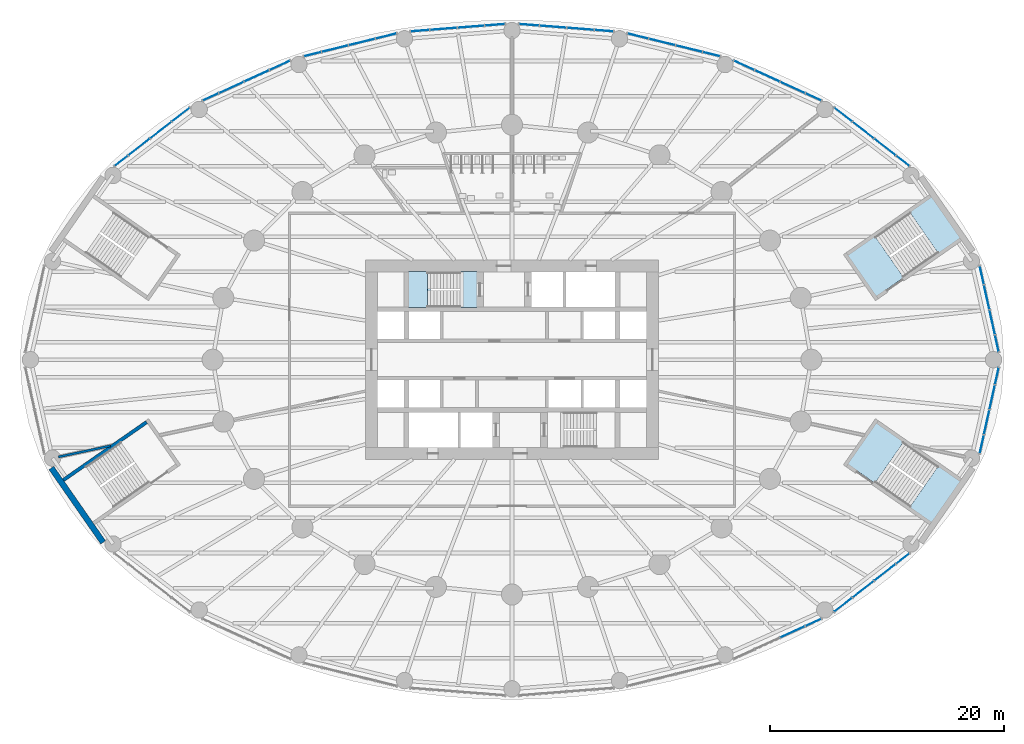
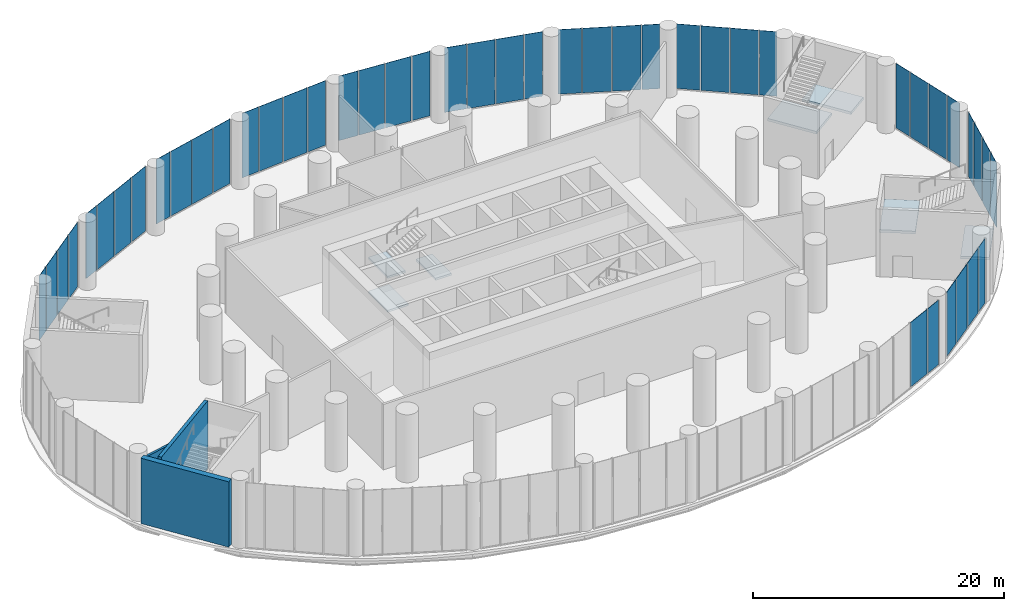
# One storey, part 15 of 22: 46 plates, 7 slabs, 3 walls, 15 elements without a shape of their own.
"""IFC4 building model written with IfcOpenShell, lengths in metres."""

from ifc_helpers import new_model, si_unit, direction, frame, frame_2d, origin, origin_2d, place, context, subcontext, project, spatial, polyline, rectangle, outline, extrude, material, layer, layer_set, type_object, element, aggregate, save


model = new_model("IFC4")

# Units and contexts
model_context = context("Model", 3, precision=1e-05, world=origin(), true_north=direction((0.0, 1.0)))
body_context = subcontext(model_context, "Body", "Model", "MODEL_VIEW")
ifc_project = project(units=[si_unit("LENGTHUNIT", "METRE"), si_unit("AREAUNIT", "SQUARE_METRE"), si_unit("VOLUMEUNIT", "CUBIC_METRE"), si_unit("PLANEANGLEUNIT", "RADIAN"), si_unit("MASSUNIT", "GRAM", prefix="KILO")], contexts=[model_context])

# Site, building, storey
site_placement = place(None, origin())
site = spatial("IfcSite", under=ifc_project, at=site_placement, CompositionType="ELEMENT")
building_placement = place(site_placement, origin())
building = spatial("IfcBuilding", under=site, at=building_placement, Name="Hankou Lantern Tower", CompositionType="ELEMENT")
storey_placement = place(building_placement, frame((0.0, 0.0, 7.199951171875)))
storey = spatial("IfcBuildingStorey", under=building, at=storey_placement, Name="L01", CompositionType="ELEMENT", Elevation=7.199951171875)

# Curtain wall, plates
ifc_material_1 = material(Name="Glass, dark grey tinted laminated", Category="glass")
curtain_wall_type = type_object("IfcCurtainWallType", Name="CWP PODIUM CURTAIN WALL", PredefinedType="USERDEFINED", material=ifc_material_1)
curtain_wall_1_placement = place(storey_placement, origin())
curtain_wall_1 = element("IfcCurtainWall", 1, at=curtain_wall_1_placement, inside=storey, type_object=curtain_wall_type, Name="CWP L01 PC01", ObjectType="PODIUM GLAZING", PredefinedType="USERDEFINED")
ifc_material_2 = material(Name="Glass, dark grey tinted laminated", Category="glass")
ifc_layer_1 = layer(ifc_material_2, 0.037109375)
ifc_layer_set_1 = layer_set([ifc_layer_1], Name="Glass, dark grey tinted laminated")
plate_type = type_object("IfcPlateType", Name="PN2 PODIUM GLASS PANEL", PredefinedType="CURTAIN_PANEL", material=ifc_layer_set_1)
plate_1_placement = place(storey_placement, frame((33.356689453125, 16.977294921875, 0.080078125), z_axis=(0.0, 0.0, 1.0), x_axis=(-0.790129760642, 0.612939606608, 0.0)))
plate_1 = element("IfcPlate", 2, at=plate_1_placement, type_object=plate_type, Name="CWP glass panel 1", PredefinedType="CURTAIN_PANEL", context=body_context, shape_type="SweptSolid", body=[
    extrude(rectangle(XDim=1.409423828125, YDim=0.031982421875, at=origin_2d()), origin(), (0.0, 0.0, 1.0), 6.27001953125),
])
plate_2_placement = place(storey_placement, frame((31.83935546875, 18.154296875, 0.080078125), z_axis=(0.0, 0.0, 1.0), x_axis=(-0.790129760642, 0.612939606608, 0.0)))
plate_2 = element("IfcPlate", 3, at=plate_2_placement, type_object=plate_type, Name="CWP glass panel 2", PredefinedType="CURTAIN_PANEL", context=body_context, shape_type="SweptSolid", body=[
    extrude(rectangle(XDim=2.270751953125, YDim=0.031982421875, at=origin_2d()), origin(), (0.0, 0.0, 1.0), 6.27001953125),
])
plate_3_placement = place(storey_placement, frame((29.98193359375, 19.59521484375, 0.080078125), z_axis=(0.0, 0.0, 1.0), x_axis=(-0.790129760642, 0.612939606608, 0.0)))
plate_3 = element("IfcPlate", 4, at=plate_3_placement, type_object=plate_type, Name="CWP glass panel 3", PredefinedType="CURTAIN_PANEL", context=body_context, shape_type="SweptSolid", body=[
    extrude(rectangle(XDim=2.270751953125, YDim=0.031982421875, at=origin_2d()), origin(), (0.0, 0.0, 1.0), 6.27001953125),
])
plate_4_placement = place(storey_placement, frame((28.27001953125, 20.923095703125, 0.080078125), z_axis=(0.0, 0.0, 1.0), x_axis=(-0.790129760642, 0.612939606608, 0.0)))
plate_4 = element("IfcPlate", 5, at=plate_4_placement, type_object=plate_type, Name="CWP glass panel 4", PredefinedType="CURTAIN_PANEL", context=body_context, shape_type="SweptSolid", body=[
    extrude(rectangle(XDim=1.90234375, YDim=0.031982421875, at=origin_2d()), origin(), (0.0, 0.0, 1.0), 6.27001953125),
])
aggregate(curtain_wall_1, [plate_1, plate_2, plate_3, plate_4])

curtain_wall_2_placement = place(storey_placement, origin())
curtain_wall_2 = element("IfcCurtainWall", 6, at=curtain_wall_2_placement, inside=storey, type_object=curtain_wall_type, Name="CWP L01 PC02", ObjectType="PODIUM GLAZING", PredefinedType="USERDEFINED")
plate_5_placement = place(storey_placement, frame((25.72802734375, 22.4267578125, 0.080078125), z_axis=(0.0, 0.0, 1.0), x_axis=(-0.909669790944, 0.41533224224, 0.0)))
plate_5 = element("IfcPlate", 7, at=plate_5_placement, type_object=plate_type, Name="CWP glass panel 1", PredefinedType="CURTAIN_PANEL", context=body_context, shape_type="SweptSolid", body=[
    extrude(rectangle(XDim=1.445068359375, YDim=0.031982421875, at=origin_2d()), origin(), (0.0, 0.0, 1.0), 6.27001953125),
])
plate_6_placement = place(storey_placement, frame((23.95361328125, 23.23681640625, 0.080078125), z_axis=(0.0, 0.0, 1.0), x_axis=(-0.909669790944, 0.41533224224, 0.0)))
plate_6 = element("IfcPlate", 8, at=plate_6_placement, type_object=plate_type, Name="CWP glass panel 2", PredefinedType="CURTAIN_PANEL", context=body_context, shape_type="SweptSolid", body=[
    extrude(rectangle(XDim=2.2958984375, YDim=0.031982421875, at=origin_2d()), origin(), (0.0, 0.0, 1.0), 6.27001953125),
])
plate_7_placement = place(storey_placement, frame((21.792236328125, 24.2236328125, 0.080078125), z_axis=(0.0, 0.0, 1.0), x_axis=(-0.909669790944, 0.41533224224, 0.0)))
plate_7 = element("IfcPlate", 9, at=plate_7_placement, type_object=plate_type, Name="CWP glass panel 3", PredefinedType="CURTAIN_PANEL", context=body_context, shape_type="SweptSolid", body=[
    extrude(rectangle(XDim=2.2958984375, YDim=0.031982421875, at=origin_2d()), origin(), (0.0, 0.0, 1.0), 6.27001953125),
])
plate_8_placement = place(storey_placement, frame((19.812744140625, 25.12744140625, 0.080078125), z_axis=(0.0, 0.0, 1.0), x_axis=(-0.909669790944, 0.41533224224, 0.0)))
plate_8 = element("IfcPlate", 10, at=plate_8_placement, type_object=plate_type, Name="CWP glass panel 4", PredefinedType="CURTAIN_PANEL", context=body_context, shape_type="SweptSolid", body=[
    extrude(rectangle(XDim=1.896240234375, YDim=0.031982421875, at=origin_2d()), origin(), (0.0, 0.0, 1.0), 6.27001953125),
])
aggregate(curtain_wall_2, [plate_5, plate_6, plate_7, plate_8])

curtain_wall_3_placement = place(storey_placement, origin())
curtain_wall_3 = element("IfcCurtainWall", 11, at=curtain_wall_3_placement, inside=storey, type_object=curtain_wall_type, Name="CWP L01 PC03", ObjectType="PODIUM GLAZING", PredefinedType="USERDEFINED")
plate_9_placement = place(storey_placement, frame((17.02001953125, 26.080810546875, 0.080078125), z_axis=(0.0, 0.0, 1.0), x_axis=(-0.970960955091, 0.239238006364, 0.0)))
plate_9 = element("IfcPlate", 12, at=plate_9_placement, type_object=plate_type, Name="CWP glass panel 1", PredefinedType="CURTAIN_PANEL", context=body_context, shape_type="SweptSolid", body=[
    extrude(rectangle(XDim=1.497314453125, YDim=0.031982421875, at=origin_2d()), origin(), (0.0, 0.0, 1.0), 6.27001953125),
])
plate_10_placement = place(storey_placement, frame((15.1064453125, 26.552490234375, 0.080078125), z_axis=(0.0, 0.0, 1.0), x_axis=(-0.970960955091, 0.239238006364, 0.0)))
plate_10 = element("IfcPlate", 13, at=plate_10_placement, type_object=plate_type, Name="CWP glass panel 2", PredefinedType="CURTAIN_PANEL", context=body_context, shape_type="SweptSolid", body=[
    extrude(rectangle(XDim=2.284423828125, YDim=0.031982421875, at=origin_2d()), origin(), (0.0, 0.0, 1.0), 6.27001953125),
])
plate_11_placement = place(storey_placement, frame((12.810791015625, 27.1181640625, 0.080078125), z_axis=(0.0, 0.0, 1.0), x_axis=(-0.970960955091, 0.239238006364, 0.0)))
plate_11 = element("IfcPlate", 14, at=plate_11_placement, type_object=plate_type, Name="CWP glass panel 3", PredefinedType="CURTAIN_PANEL", context=body_context, shape_type="SweptSolid", body=[
    extrude(rectangle(XDim=2.284423828125, YDim=0.031982421875, at=origin_2d()), origin(), (0.0, 0.0, 1.0), 6.27001953125),
])
plate_12_placement = place(storey_placement, frame((10.74658203125, 27.626708984375, 0.080078125), z_axis=(0.0, 0.0, 1.0), x_axis=(-0.970960955091, 0.239238006364, 0.0)))
plate_12 = element("IfcPlate", 15, at=plate_12_placement, type_object=plate_type, Name="CWP glass panel 4", PredefinedType="CURTAIN_PANEL", context=body_context, shape_type="SweptSolid", body=[
    extrude(rectangle(XDim=1.80712890625, YDim=0.031982421875, at=origin_2d()), origin(), (0.0, 0.0, 1.0), 6.27001953125),
])
aggregate(curtain_wall_3, [plate_9, plate_10, plate_11, plate_12])

curtain_wall_4_placement = place(storey_placement, origin())
curtain_wall_4 = element("IfcCurtainWall", 16, at=curtain_wall_4_placement, inside=storey, type_object=curtain_wall_type, Name="CWP L01 PC04", ObjectType="PODIUM GLAZING", PredefinedType="USERDEFINED")
plate_13_placement = place(storey_placement, frame((7.85205078125, 28.085205078125, 0.080078125), z_axis=(0.0, 0.0, 1.0), x_axis=(-0.996948515213, 0.078061885796, 0.0)))
plate_13 = element("IfcPlate", 17, at=plate_13_placement, type_object=plate_type, Name="CWP glass panel 1", PredefinedType="CURTAIN_PANEL", context=body_context, shape_type="SweptSolid", body=[
    extrude(rectangle(XDim=1.57861328125, YDim=0.031982421875, at=origin_2d()), origin(), (0.0, 0.0, 1.0), 6.27001953125),
])
plate_14_placement = place(storey_placement, frame((5.8544921875, 28.24169921875, 0.080078125), z_axis=(0.0, 0.0, 1.0), x_axis=(-0.996948515213, 0.078061885796, 0.0)))
plate_14 = element("IfcPlate", 18, at=plate_14_placement, type_object=plate_type, Name="CWP glass panel 2", PredefinedType="CURTAIN_PANEL", context=body_context, shape_type="SweptSolid", body=[
    extrude(rectangle(XDim=2.26904296875, YDim=0.031982421875, at=origin_2d()), origin(), (0.0, 0.0, 1.0), 6.27001953125),
])
plate_15_placement = place(storey_placement, frame((3.5126953125, 28.425048828125, 0.080078125), z_axis=(0.0, 0.0, 1.0), x_axis=(-0.996948515213, 0.078061885796, 0.0)))
plate_15 = element("IfcPlate", 19, at=plate_15_placement, type_object=plate_type, Name="CWP glass panel 3", PredefinedType="CURTAIN_PANEL", context=body_context, shape_type="SweptSolid", body=[
    extrude(rectangle(XDim=2.26904296875, YDim=0.031982421875, at=origin_2d()), origin(), (0.0, 0.0, 1.0), 6.27001953125),
])
plate_16_placement = place(storey_placement, frame((1.460205078125, 28.585693359375, 0.080078125), z_axis=(0.0, 0.0, 1.0), x_axis=(-0.996948515213, 0.078061885796, 0.0)))
plate_16 = element("IfcPlate", 20, at=plate_16_placement, type_object=plate_type, Name="CWP glass panel 4", PredefinedType="CURTAIN_PANEL", context=body_context, shape_type="SweptSolid", body=[
    extrude(rectangle(XDim=1.688232421875, YDim=0.031982421875, at=origin_2d()), origin(), (0.0, 0.0, 1.0), 6.27001953125),
])
aggregate(curtain_wall_4, [plate_13, plate_14, plate_15, plate_16])

curtain_wall_5_placement = place(storey_placement, origin())
curtain_wall_5 = element("IfcCurtainWall", 21, at=curtain_wall_5_placement, inside=storey, type_object=curtain_wall_type, Name="CWP L01 PC05", ObjectType="PODIUM GLAZING", PredefinedType="USERDEFINED")
plate_17_placement = place(storey_placement, frame((-1.460205078125, 28.585693359375, 0.080078125), z_axis=(0.0, 0.0, 1.0), x_axis=(-0.996948515213, -0.078061885796, 0.0)))
plate_17 = element("IfcPlate", 22, at=plate_17_placement, type_object=plate_type, Name="CWP glass panel 1", PredefinedType="CURTAIN_PANEL", context=body_context, shape_type="SweptSolid", body=[
    extrude(rectangle(XDim=1.688232421875, YDim=0.031982421875, at=origin_2d()), origin(), (0.0, 0.0, 1.0), 6.27001953125),
])
plate_18_placement = place(storey_placement, frame((-3.5126953125, 28.425048828125, 0.080078125), z_axis=(0.0, 0.0, 1.0), x_axis=(-0.996948515213, -0.078061885796, 0.0)))
plate_18 = element("IfcPlate", 23, at=plate_18_placement, type_object=plate_type, Name="CWP glass panel 2", PredefinedType="CURTAIN_PANEL", context=body_context, shape_type="SweptSolid", body=[
    extrude(rectangle(XDim=2.26904296875, YDim=0.031982421875, at=origin_2d()), origin(), (0.0, 0.0, 1.0), 6.27001953125),
])
plate_19_placement = place(storey_placement, frame((-5.8544921875, 28.24169921875, 0.080078125), z_axis=(0.0, 0.0, 1.0), x_axis=(-0.996948515213, -0.078061885796, 0.0)))
plate_19 = element("IfcPlate", 24, at=plate_19_placement, type_object=plate_type, Name="CWP glass panel 3", PredefinedType="CURTAIN_PANEL", context=body_context, shape_type="SweptSolid", body=[
    extrude(rectangle(XDim=2.26904296875, YDim=0.031982421875, at=origin_2d()), origin(), (0.0, 0.0, 1.0), 6.27001953125),
])
plate_20_placement = place(storey_placement, frame((-7.85205078125, 28.085205078125, 0.080078125), z_axis=(0.0, 0.0, 1.0), x_axis=(-0.996948515213, -0.078061885796, 0.0)))
plate_20 = element("IfcPlate", 25, at=plate_20_placement, type_object=plate_type, Name="CWP glass panel 4", PredefinedType="CURTAIN_PANEL", context=body_context, shape_type="SweptSolid", body=[
    extrude(rectangle(XDim=1.57861328125, YDim=0.031982421875, at=origin_2d()), origin(), (0.0, 0.0, 1.0), 6.27001953125),
])
aggregate(curtain_wall_5, [plate_17, plate_18, plate_19, plate_20])

curtain_wall_6_placement = place(storey_placement, origin())
curtain_wall_6 = element("IfcCurtainWall", 26, at=curtain_wall_6_placement, inside=storey, type_object=curtain_wall_type, Name="CWP L01 PC06", ObjectType="PODIUM GLAZING", PredefinedType="USERDEFINED")
plate_21_placement = place(storey_placement, frame((-10.74658203125, 27.626708984375, 0.080078125), z_axis=(0.0, 0.0, 1.0), x_axis=(-0.970960955091, -0.239238006364, 0.0)))
plate_21 = element("IfcPlate", 27, at=plate_21_placement, type_object=plate_type, Name="CWP glass panel 1", PredefinedType="CURTAIN_PANEL", context=body_context, shape_type="SweptSolid", body=[
    extrude(rectangle(XDim=1.80712890625, YDim=0.031982421875, at=origin_2d()), origin(), (0.0, 0.0, 1.0), 6.27001953125),
])
plate_22_placement = place(storey_placement, frame((-12.810791015625, 27.1181640625, 0.080078125), z_axis=(0.0, 0.0, 1.0), x_axis=(-0.970960955091, -0.239238006364, 0.0)))
plate_22 = element("IfcPlate", 28, at=plate_22_placement, type_object=plate_type, Name="CWP glass panel 2", PredefinedType="CURTAIN_PANEL", context=body_context, shape_type="SweptSolid", body=[
    extrude(rectangle(XDim=2.284423828125, YDim=0.031982421875, at=origin_2d()), origin(), (0.0, 0.0, 1.0), 6.27001953125),
])
plate_23_placement = place(storey_placement, frame((-15.1064453125, 26.552490234375, 0.080078125), z_axis=(0.0, 0.0, 1.0), x_axis=(-0.970960955091, -0.239238006364, 0.0)))
plate_23 = element("IfcPlate", 29, at=plate_23_placement, type_object=plate_type, Name="CWP glass panel 3", PredefinedType="CURTAIN_PANEL", context=body_context, shape_type="SweptSolid", body=[
    extrude(rectangle(XDim=2.284423828125, YDim=0.031982421875, at=origin_2d()), origin(), (0.0, 0.0, 1.0), 6.27001953125),
])
plate_24_placement = place(storey_placement, frame((-17.02001953125, 26.080810546875, 0.080078125), z_axis=(0.0, 0.0, 1.0), x_axis=(-0.970960955091, -0.239238006364, 0.0)))
plate_24 = element("IfcPlate", 30, at=plate_24_placement, type_object=plate_type, Name="CWP glass panel 4", PredefinedType="CURTAIN_PANEL", context=body_context, shape_type="SweptSolid", body=[
    extrude(rectangle(XDim=1.497314453125, YDim=0.031982421875, at=origin_2d()), origin(), (0.0, 0.0, 1.0), 6.27001953125),
])
aggregate(curtain_wall_6, [plate_21, plate_22, plate_23, plate_24])

curtain_wall_7_placement = place(storey_placement, origin())
curtain_wall_7 = element("IfcCurtainWall", 31, at=curtain_wall_7_placement, inside=storey, type_object=curtain_wall_type, Name="CWP L01 PC07", ObjectType="PODIUM GLAZING", PredefinedType="USERDEFINED")
plate_25_placement = place(storey_placement, frame((-19.812744140625, 25.12744140625, 0.080078125), z_axis=(0.0, 0.0, 1.0), x_axis=(-0.909669790944, -0.41533224224, 0.0)))
plate_25 = element("IfcPlate", 32, at=plate_25_placement, type_object=plate_type, Name="CWP glass panel 1", PredefinedType="CURTAIN_PANEL", context=body_context, shape_type="SweptSolid", body=[
    extrude(rectangle(XDim=1.896240234375, YDim=0.031982421875, at=origin_2d()), origin(), (0.0, 0.0, 1.0), 6.27001953125),
])
plate_26_placement = place(storey_placement, frame((-21.792236328125, 24.2236328125, 0.080078125), z_axis=(0.0, 0.0, 1.0), x_axis=(-0.909669790944, -0.41533224224, 0.0)))
plate_26 = element("IfcPlate", 33, at=plate_26_placement, type_object=plate_type, Name="CWP glass panel 2", PredefinedType="CURTAIN_PANEL", context=body_context, shape_type="SweptSolid", body=[
    extrude(rectangle(XDim=2.2958984375, YDim=0.031982421875, at=origin_2d()), origin(), (0.0, 0.0, 1.0), 6.27001953125),
])
plate_27_placement = place(storey_placement, frame((-23.95361328125, 23.23681640625, 0.080078125), z_axis=(0.0, 0.0, 1.0), x_axis=(-0.909669790944, -0.41533224224, 0.0)))
plate_27 = element("IfcPlate", 34, at=plate_27_placement, type_object=plate_type, Name="CWP glass panel 3", PredefinedType="CURTAIN_PANEL", context=body_context, shape_type="SweptSolid", body=[
    extrude(rectangle(XDim=2.2958984375, YDim=0.031982421875, at=origin_2d()), origin(), (0.0, 0.0, 1.0), 6.27001953125),
])
plate_28_placement = place(storey_placement, frame((-25.72802734375, 22.4267578125, 0.080078125), z_axis=(0.0, 0.0, 1.0), x_axis=(-0.909669790944, -0.41533224224, 0.0)))
plate_28 = element("IfcPlate", 35, at=plate_28_placement, type_object=plate_type, Name="CWP glass panel 4", PredefinedType="CURTAIN_PANEL", context=body_context, shape_type="SweptSolid", body=[
    extrude(rectangle(XDim=1.445068359375, YDim=0.031982421875, at=origin_2d()), origin(), (0.0, 0.0, 1.0), 6.27001953125),
])
aggregate(curtain_wall_7, [plate_25, plate_26, plate_27, plate_28])

curtain_wall_8_placement = place(storey_placement, origin())
curtain_wall_8 = element("IfcCurtainWall", 36, at=curtain_wall_8_placement, inside=storey, type_object=curtain_wall_type, Name="CWP L01 PC08", ObjectType="PODIUM GLAZING", PredefinedType="USERDEFINED")
plate_29_placement = place(storey_placement, frame((-28.27001953125, 20.923095703125, 0.080078125), z_axis=(0.0, 0.0, 1.0), x_axis=(-0.790129760642, -0.612939606608, 0.0)))
plate_29 = element("IfcPlate", 37, at=plate_29_placement, type_object=plate_type, Name="CWP glass panel 1", PredefinedType="CURTAIN_PANEL", context=body_context, shape_type="SweptSolid", body=[
    extrude(rectangle(XDim=1.90234375, YDim=0.031982421875, at=origin_2d()), origin(), (0.0, 0.0, 1.0), 6.27001953125),
])
plate_30_placement = place(storey_placement, frame((-29.98193359375, 19.59521484375, 0.080078125), z_axis=(0.0, 0.0, 1.0), x_axis=(-0.790129760642, -0.612939606608, 0.0)))
plate_30 = element("IfcPlate", 38, at=plate_30_placement, type_object=plate_type, Name="CWP glass panel 2", PredefinedType="CURTAIN_PANEL", context=body_context, shape_type="SweptSolid", body=[
    extrude(rectangle(XDim=2.270751953125, YDim=0.031982421875, at=origin_2d()), origin(), (0.0, 0.0, 1.0), 6.27001953125),
])
plate_31_placement = place(storey_placement, frame((-31.83935546875, 18.154296875, 0.080078125), z_axis=(0.0, 0.0, 1.0), x_axis=(-0.790129760642, -0.612939606608, 0.0)))
plate_31 = element("IfcPlate", 39, at=plate_31_placement, type_object=plate_type, Name="CWP glass panel 3", PredefinedType="CURTAIN_PANEL", context=body_context, shape_type="SweptSolid", body=[
    extrude(rectangle(XDim=2.270751953125, YDim=0.031982421875, at=origin_2d()), origin(), (0.0, 0.0, 1.0), 6.27001953125),
])
plate_32_placement = place(storey_placement, frame((-33.356689453125, 16.977294921875, 0.080078125), z_axis=(0.0, 0.0, 1.0), x_axis=(-0.790129760642, -0.612939606608, 0.0)))
plate_32 = element("IfcPlate", 40, at=plate_32_placement, type_object=plate_type, Name="CWP glass panel 4", PredefinedType="CURTAIN_PANEL", context=body_context, shape_type="SweptSolid", body=[
    extrude(rectangle(XDim=1.409423828125, YDim=0.031982421875, at=origin_2d()), origin(), (0.0, 0.0, 1.0), 6.27001953125),
])
aggregate(curtain_wall_8, [plate_29, plate_30, plate_31, plate_32])

curtain_wall_9_placement = place(storey_placement, origin())
curtain_wall_9 = element("IfcCurtainWall", 41, at=curtain_wall_9_placement, inside=storey, type_object=curtain_wall_type, Name="CWP L01 PC17", ObjectType="PODIUM GLAZING", PredefinedType="USERDEFINED")
plate_33_placement = place(storey_placement, frame((23.95361328125, -23.23681640625, 0.080078125), z_axis=(0.0, 0.0, 1.0), x_axis=(0.909669790944, 0.41533224224, 0.0)))
plate_33 = element("IfcPlate", 42, at=plate_33_placement, type_object=plate_type, Name="CWP glass panel 3", PredefinedType="CURTAIN_PANEL", context=body_context, shape_type="SweptSolid", body=[
    extrude(rectangle(XDim=2.2958984375, YDim=0.031982421875, at=origin_2d()), origin(), (0.0, 0.0, 1.0), 6.27001953125),
])
plate_34_placement = place(storey_placement, frame((25.72802734375, -22.4267578125, 0.080078125), z_axis=(0.0, 0.0, 1.0), x_axis=(0.909669790944, 0.41533224224, 0.0)))
plate_34 = element("IfcPlate", 43, at=plate_34_placement, type_object=plate_type, Name="CWP glass panel 4", PredefinedType="CURTAIN_PANEL", context=body_context, shape_type="SweptSolid", body=[
    extrude(rectangle(XDim=1.445068359375, YDim=0.031982421875, at=origin_2d()), origin(), (0.0, 0.0, 1.0), 6.27001953125),
])
aggregate(curtain_wall_9, [plate_33, plate_34])

curtain_wall_10_placement = place(storey_placement, origin())
curtain_wall_10 = element("IfcCurtainWall", 44, at=curtain_wall_10_placement, inside=storey, type_object=curtain_wall_type, Name="CWP L01 PC18", ObjectType="PODIUM GLAZING", PredefinedType="USERDEFINED")
plate_35_placement = place(storey_placement, frame((28.27001953125, -20.923095703125, 0.080078125), z_axis=(0.0, 0.0, 1.0), x_axis=(0.790129760642, 0.612939606608, 0.0)))
plate_35 = element("IfcPlate", 45, at=plate_35_placement, type_object=plate_type, Name="CWP glass panel 1", PredefinedType="CURTAIN_PANEL", context=body_context, shape_type="SweptSolid", body=[
    extrude(rectangle(XDim=1.90234375, YDim=0.031982421875, at=origin_2d()), origin(), (0.0, 0.0, 1.0), 6.27001953125),
])
plate_36_placement = place(storey_placement, frame((29.98193359375, -19.59521484375, 0.080078125), z_axis=(0.0, 0.0, 1.0), x_axis=(0.790129760642, 0.612939606608, 0.0)))
plate_36 = element("IfcPlate", 46, at=plate_36_placement, type_object=plate_type, Name="CWP glass panel 2", PredefinedType="CURTAIN_PANEL", context=body_context, shape_type="SweptSolid", body=[
    extrude(rectangle(XDim=2.270751953125, YDim=0.031982421875, at=origin_2d()), origin(), (0.0, 0.0, 1.0), 6.27001953125),
])
plate_37_placement = place(storey_placement, frame((31.83935546875, -18.154296875, 0.080078125), z_axis=(0.0, 0.0, 1.0), x_axis=(0.790129760642, 0.612939606608, 0.0)))
plate_37 = element("IfcPlate", 47, at=plate_37_placement, type_object=plate_type, Name="CWP glass panel 3", PredefinedType="CURTAIN_PANEL", context=body_context, shape_type="SweptSolid", body=[
    extrude(rectangle(XDim=2.270751953125, YDim=0.031982421875, at=origin_2d()), origin(), (0.0, 0.0, 1.0), 6.27001953125),
])
plate_38_placement = place(storey_placement, frame((33.356689453125, -16.977294921875, 0.080078125), z_axis=(0.0, 0.0, 1.0), x_axis=(0.790129760642, 0.612939606608, 0.0)))
plate_38 = element("IfcPlate", 48, at=plate_38_placement, type_object=plate_type, Name="CWP glass panel 4", PredefinedType="CURTAIN_PANEL", context=body_context, shape_type="SweptSolid", body=[
    extrude(rectangle(XDim=1.409423828125, YDim=0.031982421875, at=origin_2d()), origin(), (0.0, 0.0, 1.0), 6.27001953125),
])
aggregate(curtain_wall_10, [plate_35, plate_36, plate_37, plate_38])

curtain_wall_11_placement = place(storey_placement, origin())
curtain_wall_11 = element("IfcCurtainWall", 49, at=curtain_wall_11_placement, inside=storey, type_object=curtain_wall_type, Name="CWP L01 PC19", ObjectType="PODIUM GLAZING", PredefinedType="USERDEFINED")
plate_39_placement = place(storey_placement, frame((40.105224609375, -7.214599609375, 0.080078125), z_axis=(0.0, 0.0, 1.0), x_axis=(0.215821488116, 0.976432837049, 0.0)))
plate_39 = element("IfcPlate", 50, at=plate_39_placement, type_object=plate_type, Name="CWP glass panel 1", PredefinedType="CURTAIN_PANEL", context=body_context, shape_type="SweptSolid", body=[
    extrude(rectangle(XDim=1.5869140625, YDim=0.031982421875, at=origin_2d()), origin(), (0.0, 0.0, 1.0), 6.27001953125),
])
plate_40_placement = place(storey_placement, frame((40.52099609375, -5.333984375, 0.080078125), z_axis=(0.0, 0.0, 1.0), x_axis=(0.215821488116, 0.976432837049, 0.0)))
plate_40 = element("IfcPlate", 51, at=plate_40_placement, type_object=plate_type, Name="CWP glass panel 2", PredefinedType="CURTAIN_PANEL", context=body_context, shape_type="SweptSolid", body=[
    extrude(rectangle(XDim=2.105224609375, YDim=0.031982421875, at=origin_2d()), origin(), (0.0, 0.0, 1.0), 6.27001953125),
])
plate_41_placement = place(storey_placement, frame((40.99267578125, -3.200439453125, 0.080078125), z_axis=(0.0, 0.0, 1.0), x_axis=(0.215821488116, 0.976432837049, 0.0)))
plate_41 = element("IfcPlate", 52, at=plate_41_placement, type_object=plate_type, Name="CWP glass panel 3", PredefinedType="CURTAIN_PANEL", context=body_context, shape_type="SweptSolid", body=[
    extrude(rectangle(XDim=2.105224609375, YDim=0.031982421875, at=origin_2d()), origin(), (0.0, 0.0, 1.0), 6.27001953125),
])
plate_42_placement = place(storey_placement, frame((41.391357421875, -1.396484375, 0.080078125), z_axis=(0.0, 0.0, 1.0), x_axis=(0.215821488116, 0.976432837049, 0.0)))
plate_42 = element("IfcPlate", 53, at=plate_42_placement, type_object=plate_type, Name="CWP glass panel 4", PredefinedType="CURTAIN_PANEL", context=body_context, shape_type="SweptSolid", body=[
    extrude(rectangle(XDim=1.4296875, YDim=0.031982421875, at=origin_2d()), origin(), (0.0, 0.0, 1.0), 6.27001953125),
])
aggregate(curtain_wall_11, [plate_39, plate_40, plate_41, plate_42])

curtain_wall_12_placement = place(storey_placement, origin())
curtain_wall_12 = element("IfcCurtainWall", 54, at=curtain_wall_12_placement, inside=storey, type_object=curtain_wall_type, Name="CWP L01 PC20", ObjectType="PODIUM GLAZING", PredefinedType="USERDEFINED")
plate_43_placement = place(storey_placement, frame((41.391357421875, 1.396484375, 0.080078125), z_axis=(0.0, 0.0, 1.0), x_axis=(-0.215821488116, 0.976432837049, 0.0)))
plate_43 = element("IfcPlate", 55, at=plate_43_placement, type_object=plate_type, Name="CWP glass panel 1", PredefinedType="CURTAIN_PANEL", context=body_context, shape_type="SweptSolid", body=[
    extrude(rectangle(XDim=1.4296875, YDim=0.031982421875, at=origin_2d()), origin(), (0.0, 0.0, 1.0), 6.27001953125),
])
plate_44_placement = place(storey_placement, frame((40.99267578125, 3.200439453125, 0.080078125), z_axis=(0.0, 0.0, 1.0), x_axis=(-0.215821488116, 0.976432837049, 0.0)))
plate_44 = element("IfcPlate", 56, at=plate_44_placement, type_object=plate_type, Name="CWP glass panel 2", PredefinedType="CURTAIN_PANEL", context=body_context, shape_type="SweptSolid", body=[
    extrude(rectangle(XDim=2.105224609375, YDim=0.031982421875, at=origin_2d()), origin(), (0.0, 0.0, 1.0), 6.27001953125),
])
plate_45_placement = place(storey_placement, frame((40.52099609375, 5.333984375, 0.080078125), z_axis=(0.0, 0.0, 1.0), x_axis=(-0.215821488116, 0.976432837049, 0.0)))
plate_45 = element("IfcPlate", 57, at=plate_45_placement, type_object=plate_type, Name="CWP glass panel 3", PredefinedType="CURTAIN_PANEL", context=body_context, shape_type="SweptSolid", body=[
    extrude(rectangle(XDim=2.105224609375, YDim=0.031982421875, at=origin_2d()), origin(), (0.0, 0.0, 1.0), 6.27001953125),
])
plate_46_placement = place(storey_placement, frame((40.105224609375, 7.214599609375, 0.080078125), z_axis=(0.0, 0.0, 1.0), x_axis=(-0.215821488116, 0.976432837049, 0.0)))
plate_46 = element("IfcPlate", 58, at=plate_46_placement, type_object=plate_type, Name="CWP glass panel 4", PredefinedType="CURTAIN_PANEL", context=body_context, shape_type="SweptSolid", body=[
    extrude(rectangle(XDim=1.5869140625, YDim=0.031982421875, at=origin_2d()), origin(), (0.0, 0.0, 1.0), 6.27001953125),
])
aggregate(curtain_wall_12, [plate_43, plate_44, plate_45, plate_46])

# Stair, slabs
ifc_material_3 = material(Name="Concrete C40", Category="concrete")
stair_type_1 = type_object("IfcStairType", Name="ST66 CORE STAIR 6600 RISE", PredefinedType="HALF_TURN_STAIR", material=ifc_material_3)
stair_1_placement = place(storey_placement, origin())
stair_1 = element("IfcStair", 59, at=stair_1_placement, inside=storey, type_object=stair_type_1, Name="Stair STA L01", PredefinedType="HALF_TURN_STAIR")
ifc_material_4 = material(Name="Concrete C40", Category="concrete")
ifc_layer_2 = layer(ifc_material_4, 0.199951171875)
ifc_layer_set_2 = layer_set([ifc_layer_2], Name="Concrete C40")
slab_type_1 = type_object("IfcSlabType", Name="SL1 STAIR LANDING 200", PredefinedType="LANDING", material=ifc_layer_set_2)
slab_1_placement = place(storey_placement, frame((0.0, 0.0, 1.37158203125)))
slab_1 = element("IfcSlab", 60, at=slab_1_placement, type_object=slab_type_1, Name="STA landing 1", PredefinedType="LANDING", context=body_context, shape_type="SweptSolid", body=[
    extrude(outline(polyline([(-8.85009765625, 4.449951171875), (-6.949951171875, 4.449951171875), (-6.949951171875, 7.550048828125), (-8.85009765625, 7.550048828125), (-8.85009765625, 4.449951171875)])), origin(), (0.0, 0.0, 1.0), 0.199951171875),
])
slab_2_placement = place(storey_placement, frame((0.0, 0.0, 2.94287109375)))
slab_2 = element("IfcSlab", 61, at=slab_2_placement, type_object=slab_type_1, Name="STA landing 2", PredefinedType="LANDING", context=body_context, shape_type="SweptSolid", body=[
    extrude(outline(polyline([(-4.449951171875, 4.449951171875), (-3.0, 4.449951171875), (-3.0, 7.550048828125), (-4.449951171875, 7.550048828125), (-4.449951171875, 4.449951171875)])), origin(), (0.0, 0.0, 1.0), 0.199951171875),
])
slab_3_placement = place(storey_placement, frame((0.0, 0.0, 4.67138671875)))
slab_3 = element("IfcSlab", 62, at=slab_3_placement, type_object=slab_type_1, Name="STA landing 3", PredefinedType="LANDING", context=body_context, shape_type="SweptSolid", body=[
    extrude(outline(polyline([(-8.85009765625, 4.449951171875), (-7.22998046875, 4.449951171875), (-7.22998046875, 7.550048828125), (-8.85009765625, 7.550048828125), (-8.85009765625, 4.449951171875)])), origin(), (0.0, 0.0, 1.0), 0.2001953125),
])
aggregate(stair_1, [slab_1, slab_2, slab_3])

ifc_material_5 = material(Name="Concrete C40", Category="concrete")
stair_type_2 = type_object("IfcStairType", Name="PS66 PODIUM STAIR 6600 RISE", PredefinedType="HALF_TURN_STAIR", material=ifc_material_5)
stair_2_placement = place(storey_placement, origin())
stair_2 = element("IfcStair", 63, at=stair_2_placement, inside=storey, type_object=stair_type_2, Name="Stair P1 L01", PredefinedType="HALF_TURN_STAIR")
ifc_material_6 = material(Name="Concrete C40", Category="concrete")
ifc_layer_3 = layer(ifc_material_6, 0.25)
ifc_layer_set_3 = layer_set([ifc_layer_3], Name="Concrete C40")
slab_type_2 = type_object("IfcSlabType", Name="SL2 PODIUM STAIR LANDING 250", PredefinedType="LANDING", material=ifc_layer_set_3)
slab_4_placement = place(storey_placement, frame((0.0, 0.0, 1.949951171875)))
slab_4 = element("IfcSlab", 64, at=slab_4_placement, type_object=slab_type_2, Name="P1 landing 1", PredefinedType="LANDING", context=body_context, shape_type="SweptSolid", body=[
    extrude(outline(polyline([(38.283203125, 10.384521484375), (35.82763671875, 13.91455078125), (33.939453125, 12.60107421875), (36.39501953125, 9.071044921875), (38.283203125, 10.384521484375)])), origin(), (0.0, 0.0, 1.0), 0.25),
])
slab_5_placement = place(storey_placement, frame((0.0, 0.0, 4.150146484375)))
slab_5 = element("IfcSlab", 65, at=slab_5_placement, type_object=slab_type_2, Name="P1 landing 2", PredefinedType="LANDING", context=body_context, shape_type="SweptSolid", body=[
    extrude(outline(polyline([(33.439697265625, 7.015380859375), (30.984130859375, 10.54541015625), (28.636474609375, 8.912109375), (31.091796875, 5.382080078125), (33.439697265625, 7.015380859375)])), origin(), (0.0, 0.0, 1.0), 0.25),
])
aggregate(stair_2, [slab_4, slab_5])

stair_3_placement = place(storey_placement, origin())
stair_3 = element("IfcStair", 66, at=stair_3_placement, inside=storey, type_object=stair_type_2, Name="Stair P4 L01", PredefinedType="HALF_TURN_STAIR")
slab_6_placement = place(storey_placement, frame((0.0, 0.0, 1.949951171875)))
slab_6 = element("IfcSlab", 67, at=slab_6_placement, type_object=slab_type_2, Name="P4 landing 1", PredefinedType="LANDING", context=body_context, shape_type="SweptSolid", body=[
    extrude(outline(polyline([(35.82763671875, -13.91455078125), (38.283203125, -10.384521484375), (36.39501953125, -9.071044921875), (33.939453125, -12.60107421875), (35.82763671875, -13.91455078125)])), origin(), (0.0, 0.0, 1.0), 0.25),
])
slab_7_placement = place(storey_placement, frame((0.0, 0.0, 4.150146484375)))
slab_7 = element("IfcSlab", 68, at=slab_7_placement, type_object=slab_type_2, Name="P4 landing 2", PredefinedType="LANDING", context=body_context, shape_type="SweptSolid", body=[
    extrude(outline(polyline([(30.984130859375, -10.54541015625), (33.439697265625, -7.015380859375), (31.091796875, -5.382080078125), (28.636474609375, -8.912109375), (30.984130859375, -10.54541015625)])), origin(), (0.0, 0.0, 1.0), 0.25),
])
aggregate(stair_3, [slab_6, slab_7])

# Walls
ifc_material_7 = material(Name="Concrete C50", Category="concrete")
ifc_layer_4 = layer(ifc_material_7, 0.300048828125)
ifc_layer_set_4 = layer_set([ifc_layer_4], Name="Concrete C50")
wall_type_1 = type_object("IfcWallType", Name="CW7 PODIUM STAIR WALL 300", PredefinedType="SHEAR", material=ifc_layer_set_4)
wall_1_placement = place(storey_placement, frame((-38.29931640625, -10.273681640625, 0.0), z_axis=(0.0, 0.0, 1.0), x_axis=(0.820936803751, 0.571019057692, 0.0)))
element("IfcWall", 69, at=wall_1_placement, inside=storey, type_object=wall_type_1, Name="Podium stair P3 wall", PredefinedType="SHEAR", context=body_context, shape_type="SweptSolid", body=[
    extrude(rectangle(XDim=8.66015625, YDim=0.300048828125, at=frame_2d((4.330078125, 0.0))), origin(), (0.0, 0.0, 1.0), 6.60009765625),
])
ifc_material_8 = material(Name="Granite cladding on reinforced concrete C50", Category="masonry")
ifc_layer_5 = layer(ifc_material_8, 0.5)
ifc_layer_set_5 = layer_set([ifc_layer_5], Name="Granite cladding on reinforced concrete C50")
wall_type_2 = type_object("IfcWallType", Name="EW2 STONE PORTAL WALL 500", PredefinedType="SOLIDWALL", material=ifc_layer_set_5)
wall_2_placement = place(storey_placement, frame((-39.3203125, -9.24365234375, 0.0), z_axis=(0.0, 0.0, 1.0), x_axis=(0.571029335057, -0.820929655028, 0.0)))
element("IfcWall", 70, at=wall_2_placement, inside=storey, type_object=wall_type_2, Name="Portal wall R14 L01", PredefinedType="SOLIDWALL", context=body_context, shape_type="SweptSolid", body=[
    extrude(rectangle(XDim=7.732666015625, YDim=0.5, at=frame_2d((3.8662109375, 0.0))), origin(), (0.0, 0.0, 1.0), 6.35009765625),
])
ifc_material_9 = material(Name="Masonry dense concrete block", Category="masonry")
ifc_layer_6 = layer(ifc_material_9, 0.199951171875)
ifc_layer_set_6 = layer_set([ifc_layer_6], Name="Masonry dense concrete block")
wall_type_3 = type_object("IfcWallType", Name="FW1 COMPARTMENT FIRE WALL 200", PredefinedType="PARTITIONING", material=ifc_layer_set_6)
wall_3_placement = place(storey_placement, frame((-34.263427734375, -7.3447265625, 0.0), z_axis=(0.0, 0.0, 1.0), x_axis=(-0.977794589892, -0.209565598271, 0.0)))
element("IfcWall", 71, at=wall_3_placement, inside=storey, type_object=wall_type_3, Name="Fire wall R14", PredefinedType="PARTITIONING", context=body_context, shape_type="SweptSolid", body=[
    extrude(rectangle(XDim=4.566650390625, YDim=0.199951171875, at=frame_2d((2.283203125, 0.0))), origin(), (0.0, 0.0, 1.0), 5.449951171875),
])

save(model, "model.ifc")
